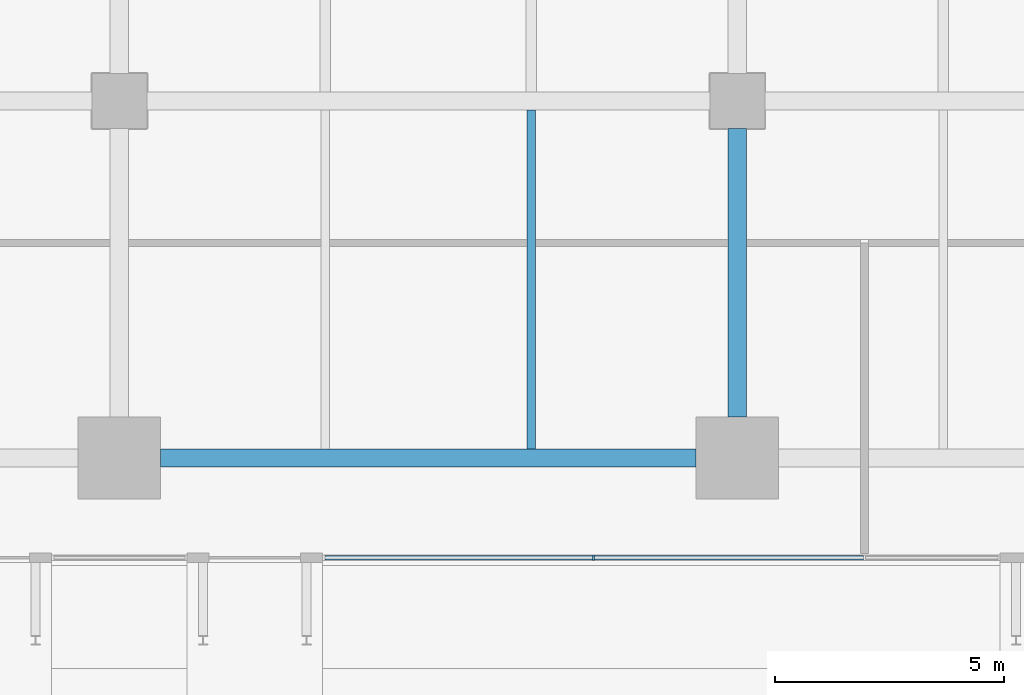
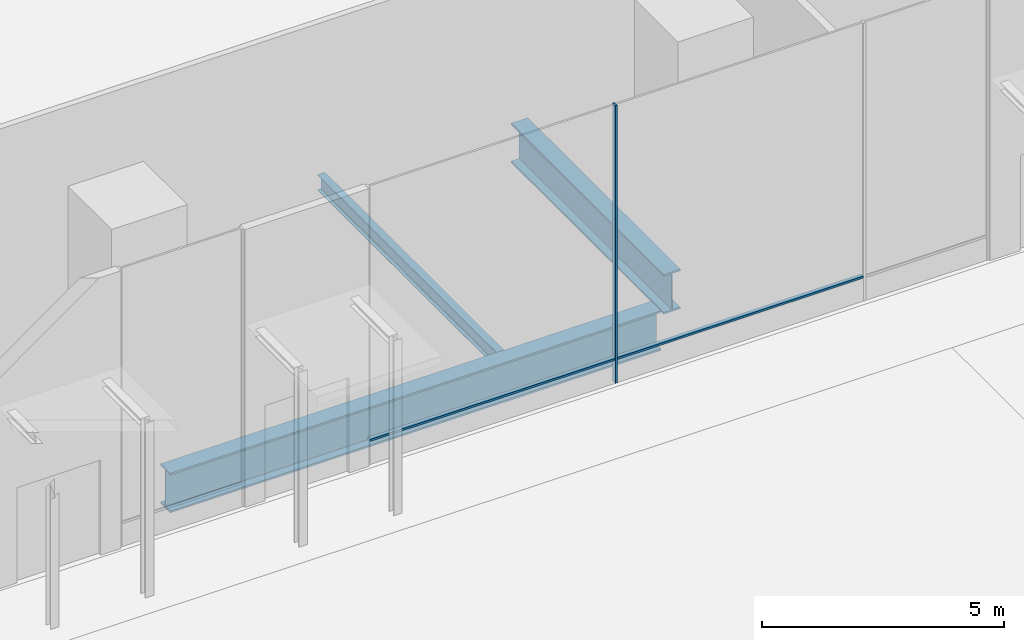
# One storey, part 13 of 41: 3 beams, 3 members, 1 element without a shape of its own.
"""IFC4 building model written with IfcOpenShell, lengths in metres."""

from ifc_helpers import new_model, si_unit, direction, frame, origin, origin_2d, place, context, subcontext, project, spatial, rectangle, i_section, extrude, material, layer, layer_set, material_profile, profile_set, type_object, element, aggregate, save


model = new_model("IFC4")

# Units and contexts
model_context = context("Model", 3, precision=1e-05, world=origin(), true_north=direction((0.0, 1.0)))
body_context = subcontext(model_context, "Body", "Model", "MODEL_VIEW")
ifc_project = project(units=[si_unit("LENGTHUNIT", "METRE"), si_unit("AREAUNIT", "SQUARE_METRE"), si_unit("VOLUMEUNIT", "CUBIC_METRE"), si_unit("PLANEANGLEUNIT", "RADIAN"), si_unit("MASSUNIT", "GRAM", prefix="KILO")], contexts=[model_context])

# Site, building, storey
site_placement = place(None, origin())
site = spatial("IfcSite", under=ifc_project, at=site_placement, CompositionType="ELEMENT")
building_placement = place(site_placement, origin())
building = spatial("IfcBuilding", under=site, at=building_placement, Name="Rattan Terrace Tower", CompositionType="ELEMENT")
storey_placement = place(building_placement, origin())
storey = spatial("IfcBuildingStorey", under=building, at=storey_placement, Name="L00", CompositionType="ELEMENT", Elevation=0.0)

# Beams
ifc_material_1 = material(Name="Steel S355", Category="steel")
ifc_material_profile_1 = material_profile(ifc_material_1, i_section(OverallWidth=0.179931640625, OverallDepth=0.39990234375, WebThickness=0.008544921875, FlangeThickness=0.013427734375, FilletRadius=0.02099609375, at=origin_2d()), Name="IPE 400")
ifc_profile_set_1 = profile_set([ifc_material_profile_1], Name="Steel S355")
beam_type_1 = type_object("IfcBeamType", Name="Frame floor beam IPE 400", PredefinedType="JOIST", material=ifc_profile_set_1)
beam_1_placement = place(storey_placement, frame((9.0, -34.699951171875, -0.39990234375), z_axis=(0.0, 1.0, 0.0), x_axis=(-1.0, 0.0, 0.0)))
element("IfcBeam", 1, at=beam_1_placement, inside=storey, type_object=beam_type_1, Name="bm-L00-009", PredefinedType="JOIST", context=body_context, shape_type="SweptSolid", body=[
    extrude(i_section(OverallWidth=0.179931640625, OverallDepth=0.39990234375, WebThickness=0.008544921875, FlangeThickness=0.013427734375, FilletRadius=0.02099609375, at=origin_2d()), origin(), (0.0, 0.0, 1.0), 7.39990234375),
])
ifc_material_2 = material(Name="Steel S460", Category="steel")
ifc_material_profile_2 = material_profile(ifc_material_2, i_section(OverallWidth=0.39990234375, OverallDepth=1.0, WebThickness=0.01806640625, FlangeThickness=0.044921875, at=origin_2d()), Name="PG 1000x400-18-45")
ifc_profile_set_2 = profile_set([ifc_material_profile_2], Name="Steel S460")
beam_type_2 = type_object("IfcBeamType", Name="Frame podium girder PG 1000x400-18-45", PredefinedType="USERDEFINED", material=ifc_profile_set_2)
beam_2_placement = place(storey_placement, frame((0.89990234375, -34.89990234375, -0.699951171875), z_axis=(1.0, 0.0, 0.0), x_axis=(0.0, 1.0, 0.0)))
element("IfcBeam", 2, at=beam_2_placement, inside=storey, type_object=beam_type_2, Name="gdr-L00-004", ObjectType="PODIUM GIRDER", PredefinedType="USERDEFINED", context=body_context, shape_type="SweptSolid", body=[
    extrude(i_section(OverallWidth=0.39990234375, OverallDepth=1.0, WebThickness=0.01806640625, FlangeThickness=0.044921875, at=origin_2d()), origin(), (0.0, 0.0, 1.0), 11.7001953125),
])
beam_3_placement = place(storey_placement, frame((13.5, -34.0, -0.699951171875), z_axis=(0.0, 1.0, 0.0), x_axis=(-1.0, 0.0, 0.0)))
element("IfcBeam", 3, at=beam_3_placement, inside=storey, type_object=beam_type_2, Name="gdr-L00-011", ObjectType="PODIUM GIRDER", PredefinedType="USERDEFINED", context=body_context, shape_type="SweptSolid", body=[
    extrude(i_section(OverallWidth=0.39990234375, OverallDepth=1.0, WebThickness=0.01806640625, FlangeThickness=0.044921875, at=origin_2d()), origin(), (0.0, 0.0, 1.0), 6.300048828125),
])

# Curtain wall, members
ifc_material_3 = material(Name="Aluminium and glass", Category="aluminium")
ifc_layer = layer(ifc_material_3, 0.1201171875)
ifc_layer_set = layer_set([ifc_layer], Name="Station Storefront Curtain Wall")
curtain_wall_type = type_object("IfcCurtainWallType", Name="Station Storefront Curtain Wall", PredefinedType="NOTDEFINED", material=ifc_layer_set)
curtain_wall_placement = place(storey_placement, origin())
curtain_wall = element("IfcCurtainWall", 4, at=curtain_wall_placement, inside=storey, type_object=curtain_wall_type, Name="Storefront curtain wall L00-13", PredefinedType="NOTDEFINED")
ifc_material_4 = material(Name="Aluminium", Category="aluminium")
ifc_material_profile_3 = material_profile(ifc_material_4, rectangle(XDim=0.050048828125, YDim=0.1201171875, at=origin_2d()), Name="Aluminium 50x120")
ifc_profile_set_3 = profile_set([ifc_material_profile_3], Name="Aluminium")
member_type_1 = type_object("IfcMemberType", Name="Storefront CW Mullion 50x120", PredefinedType="MULLION", material=ifc_profile_set_3)
member_1_placement = place(storey_placement, frame((10.360107421875, -37.080078125, 0.0), z_axis=(0.0, 0.0, 1.0), x_axis=(1.0, 0.0, 0.0)))
member_1 = element("IfcMember", 5, at=member_1_placement, type_object=member_type_1, Name="Mullion cwl-L00-013.2", PredefinedType="MULLION", context=body_context, shape_type="SweptSolid", body=[
    extrude(rectangle(XDim=0.050048828125, YDim=0.1201171875, at=origin_2d()), origin(), (0.0, 0.0, 1.0), 7.0),
])
ifc_material_5 = material(Name="Aluminium", Category="aluminium")
ifc_material_profile_4 = material_profile(ifc_material_5, rectangle(XDim=0.10009765625, YDim=0.050048828125, at=origin_2d()), Name="Aluminium 100x50")
ifc_profile_set_4 = profile_set([ifc_material_profile_4], Name="Aluminium")
member_type_2 = type_object("IfcMemberType", Name="Storefront CW Transom 100x50", PredefinedType="USERDEFINED", material=ifc_profile_set_4)
member_2_placement = place(storey_placement, frame((4.489990234375, -37.080078125, 0.60009765625), z_axis=(1.0, 0.0, 0.0), x_axis=(0.0, 1.0, 0.0)))
member_2 = element("IfcMember", 6, at=member_2_placement, type_object=member_type_2, Name="Transom cwl-L00-013.1", ObjectType="TRANSOM", PredefinedType="USERDEFINED", context=body_context, shape_type="SweptSolid", body=[
    extrude(rectangle(XDim=0.10009765625, YDim=0.050048828125, at=origin_2d()), origin(), (0.0, 0.0, 1.0), 5.844970703125),
])
member_3_placement = place(storey_placement, frame((10.385009765625, -37.080078125, 0.60009765625), z_axis=(1.0, 0.0, 0.0), x_axis=(0.0, 1.0, 0.0)))
member_3 = element("IfcMember", 7, at=member_3_placement, type_object=member_type_2, Name="Transom cwl-L00-013.2", ObjectType="TRANSOM", PredefinedType="USERDEFINED", context=body_context, shape_type="SweptSolid", body=[
    extrude(rectangle(XDim=0.10009765625, YDim=0.050048828125, at=origin_2d()), origin(), (0.0, 0.0, 1.0), 5.869873046875),
])
aggregate(curtain_wall, [member_1, member_2, member_3])

save(model, "model.ifc")
